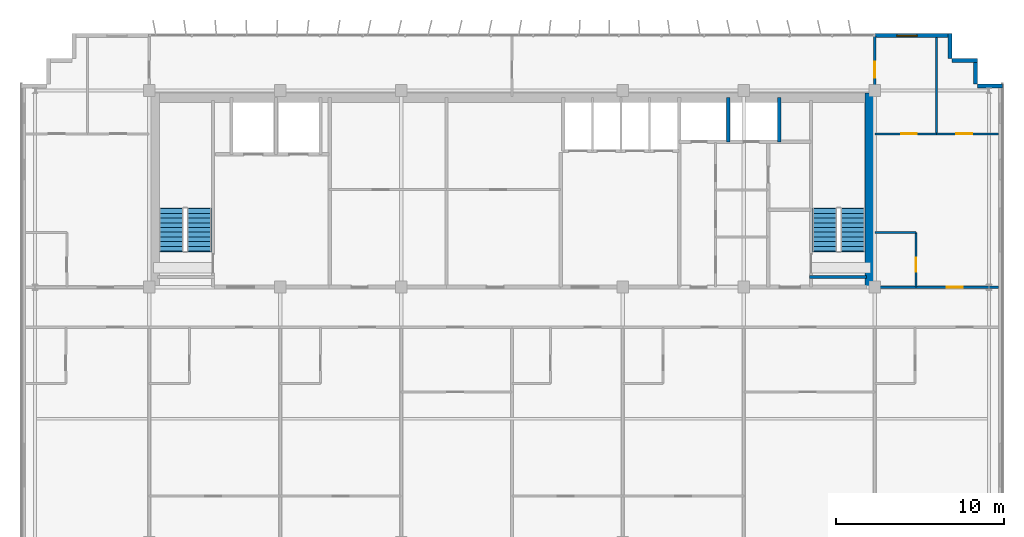
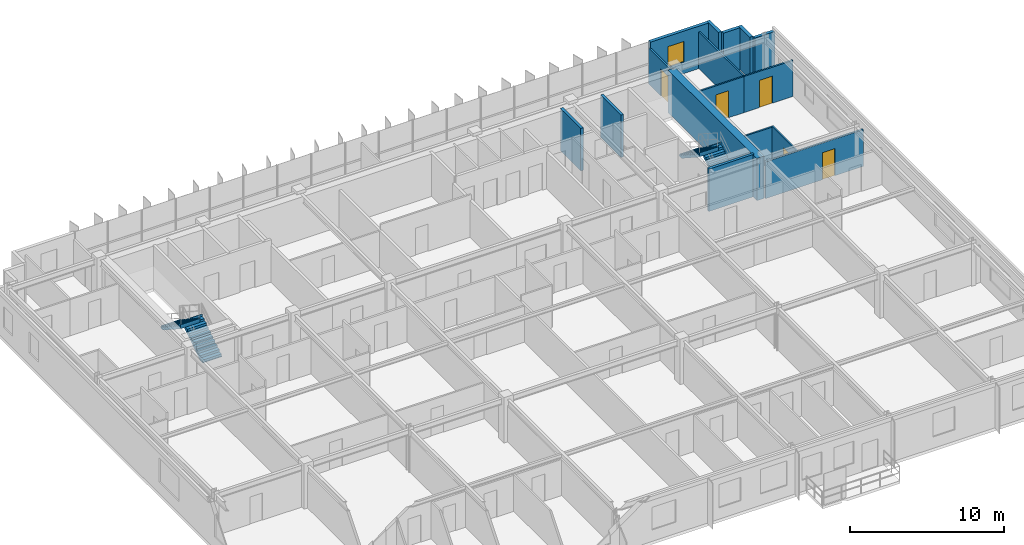
# One storey, part 21 of 23: 16 walls, 5 doors, 4 stair flights, 1 window, 6 openings, 2 elements without a shape of their own.
"""IFC4 building model written with IfcOpenShell, lengths in metres."""

import ifcopenshell
import ifcopenshell.guid

model = None  # the IFC model being written
_history = None  # IfcOwnerHistory: only IFC2X3 demands one
_inside = {}  # id of a spatial element -> (the spatial element, [elements in it])
_under = {}  # id of a project, library or spatial element -> (it, [spatial elements below it])
_declared = {}  # id of a project -> (the project, [libraries it declares])
_typed = {}  # id of a type object -> (the type object, [elements of that type])
_made_of = {}  # id of a material, layer set ... -> (it, [elements and type objects made of it])


def new_model(schema):
    """Start an empty IFC model of exactly this schema.

    Asked for "IFC4X3", IfcOpenShell would pick the latest addendum, in which some entities
    have other attributes; the version numbers below select the first issue.
    IFC2X3 requires an IfcOwnerHistory on every rooted entity: one is made here for all.
    """
    global model, _history
    if schema == "IFC4X3":
        model = ifcopenshell.file(schema_version=(4, 3, 0, 0))
    else:
        model = ifcopenshell.file(schema=schema)
    _inside.clear()
    _under.clear()
    _declared.clear()
    _typed.clear()
    _made_of.clear()
    _history = None
    if model.schema == "IFC2X3":
        org = make("IfcOrganization", Name="unknown")
        user = make(
            "IfcPersonAndOrganization",
            ThePerson=make("IfcPerson", FamilyName="unknown"),
            TheOrganization=org,
        )
        app = make(
            "IfcApplication",
            ApplicationDeveloper=org,
            Version="unknown",
            ApplicationFullName="unknown",
            ApplicationIdentifier="unknown",
        )
        _history = make(
            "IfcOwnerHistory",
            OwningUser=user,
            OwningApplication=app,
            ChangeAction="ADDED",
            CreationDate=0,
        )
    return model


def make(cls, **values):
    """One entity of the class cls with the attributes given. An attribute that is None is left unset."""
    return model.create_entity(
        cls, **{name: value for name, value in values.items() if value is not None}
    )


def rooted(cls, **values):
    """An entity with a GlobalId (a new one), such as an element, a storey or a relation."""
    return make(cls, GlobalId=ifcopenshell.guid.new(), OwnerHistory=_history, **values)


def si_unit(unit_type, name, prefix=None):
    """IfcSIUnit, for example si_unit("LENGTHUNIT", "METRE", prefix="MILLI")."""
    return make("IfcSIUnit", UnitType=unit_type, Prefix=prefix, Name=name)


def assignment(units):
    """IfcUnitAssignment: the units of a project."""
    return None if units is None else make("IfcUnitAssignment", Units=units)


def point(xyz):
    """IfcCartesianPoint."""
    return None if xyz is None else make("IfcCartesianPoint", Coordinates=xyz)


def direction(xyz):
    """IfcDirection."""
    return None if xyz is None else make("IfcDirection", DirectionRatios=xyz)


def frame(location, z_axis=None, x_axis=None):
    """IfcAxis2Placement3D, a coordinate frame: its origin and axes. An axis left out is left unset."""
    return make(
        "IfcAxis2Placement3D",
        Location=point(location),
        Axis=direction(z_axis),
        RefDirection=direction(x_axis),
    )


def frame_2d(location, x_axis=None):
    """IfcAxis2Placement2D, a coordinate frame in the plane: its origin and x axis."""
    return make(
        "IfcAxis2Placement2D", Location=point(location), RefDirection=direction(x_axis)
    )


def origin():
    """The frame at (0, 0, 0) with its axes left unset."""
    return frame((0.0, 0.0, 0.0))


def place(relative_to, where):
    """IfcLocalPlacement: puts the frame where relative to a parent placement (None: the world)."""
    return make(
        "IfcLocalPlacement", PlacementRelTo=relative_to, RelativePlacement=where
    )


def context(
    kind, dimensions, precision=None, world=None, true_north=None, identifier=None
):
    """IfcGeometricRepresentationContext, for example the 3D "Model" context."""
    return make(
        "IfcGeometricRepresentationContext",
        ContextIdentifier=identifier,
        ContextType=kind,
        CoordinateSpaceDimension=dimensions,
        Precision=precision,
        WorldCoordinateSystem=world,
        TrueNorth=true_north,
    )


def subcontext(parent, identifier, kind, view, scale=None):
    """IfcGeometricRepresentationSubContext, for example "Body" below "Model"."""
    return make(
        "IfcGeometricRepresentationSubContext",
        ContextIdentifier=identifier,
        ContextType=kind,
        ParentContext=parent,
        TargetScale=scale,
        TargetView=view,
    )


def project(units=None, contexts=None):
    """IfcProject with its units and contexts."""
    return rooted(
        "IfcProject",
        Name="project",
        RepresentationContexts=contexts,
        UnitsInContext=assignment(units),
    )


def spatial(cls, under=None, at=None, **own):
    """A site, building, storey or space (cls), placed at a placement, below another one or the project."""
    s = rooted(cls, ObjectPlacement=at, **own)
    if under is not None:
        _under.setdefault(under.id(), (under, []))[1].append(s)
    return s


def polyline(points):
    """IfcPolyline through the points."""
    return make("IfcPolyline", Points=[point(p) for p in points])


def profile(cls, at=None, kind="AREA", **sizes):
    """A parametric profile (cls). Its sizes go by their IFC names, for example OverallWidth=200.0."""
    return make(cls, ProfileType=kind, Position=at, **sizes)


def rectangle(**sizes):
    """IfcRectangleProfileDef."""
    return profile("IfcRectangleProfileDef", **sizes)


def outline(outer, holes=None, kind="AREA"):
    """IfcArbitraryClosedProfileDef: a profile drawn as a closed curve; with holes, ...WithVoids."""
    if holes is None:
        return make("IfcArbitraryClosedProfileDef", ProfileType=kind, OuterCurve=outer)
    return make(
        "IfcArbitraryProfileDefWithVoids",
        ProfileType=kind,
        OuterCurve=outer,
        InnerCurves=holes,
    )


def extrude(swept, where, along, depth):
    """IfcExtrudedAreaSolid: the profile swept, set in the frame where, extruded along a direction by depth."""
    return make(
        "IfcExtrudedAreaSolid",
        SweptArea=swept,
        Position=where,
        ExtrudedDirection=direction(along),
        Depth=depth,
    )


def shape(context_of_items, identifier, shape_type, items):
    """IfcShapeRepresentation: the items that make up one representation, for example the "Body"."""
    return make(
        "IfcShapeRepresentation",
        ContextOfItems=context_of_items,
        RepresentationIdentifier=identifier,
        RepresentationType=shape_type,
        Items=items,
    )


def source(mapping_origin, context_of_items, identifier, shape_type, items):
    """IfcRepresentationMap: a shape defined once, which mapped items show again and again."""
    return make(
        "IfcRepresentationMap",
        MappingOrigin=mapping_origin,
        MappedRepresentation=shape(context_of_items, identifier, shape_type, items),
    )


def transform(
    local_origin,
    x_axis=None,
    y_axis=None,
    z_axis=None,
    scale=None,
    scale2=None,
    scale3=None,
    uniform=True,
):
    """IfcCartesianTransformationOperator3D, or its non-uniform kind. x_axis, y_axis, z_axis: its Axis1, 2, 3."""
    if uniform:
        return make(
            "IfcCartesianTransformationOperator3D",
            Axis1=direction(x_axis),
            Axis2=direction(y_axis),
            LocalOrigin=point(local_origin),
            Scale=scale,
            Axis3=direction(z_axis),
        )
    return make(
        "IfcCartesianTransformationOperator3DnonUniform",
        Axis1=direction(x_axis),
        Axis2=direction(y_axis),
        LocalOrigin=point(local_origin),
        Scale=scale,
        Axis3=direction(z_axis),
        Scale2=scale2,
        Scale3=scale3,
    )


def mapped(mapping_source, mapping_target):
    """IfcMappedItem: shows the shape of a source again, moved by a transform."""
    return make(
        "IfcMappedItem", MappingSource=mapping_source, MappingTarget=mapping_target
    )


def material(Name=None, Category=None):
    """IfcMaterial."""
    return make("IfcMaterial", Name=Name, Category=Category)


def layer(
    of_material, thickness, ventilated=None, Name=None, Category=None, Priority=None
):
    """IfcMaterialLayer: one layer of a wall or slab, of a material (None: an air gap)."""
    return make(
        "IfcMaterialLayer",
        Material=of_material,
        LayerThickness=thickness,
        IsVentilated=ventilated,
        Name=Name,
        Category=Category,
        Priority=Priority,
    )


def layer_set(layers, Name=None):
    """IfcMaterialLayerSet."""
    return make("IfcMaterialLayerSet", MaterialLayers=layers, LayerSetName=Name)


def made_of(thing, what):
    """Note that an element or type object is made of a material, layer set ...; save() writes the relation."""
    if what is not None:
        _made_of.setdefault(what.id(), (what, []))[1].append(thing)
    return thing


def type_object(cls, material=None, **own):
    """A type object (cls), such as IfcWallType, which elements share."""
    return made_of(rooted(cls, **own), material)


def element(
    cls,
    number,
    at=None,
    inside=None,
    cuts=None,
    type_object=None,
    material=None,
    context=None,
    identifier="Body",
    shape_type=None,
    held_by="IfcProductDefinitionShape",
    body=None,
    shapes=None,
    **own,
):
    """One element of the class cls, such as IfcWall. Its Tag is "e" and its number.

    at: its placement. inside: the storey or other place that contains it. cuts: it is an
    opening in that element (IfcRelVoidsElement). A single representation is given by context,
    identifier, shape_type and body (its items); several are given by shapes. held_by: the class
    of the entity that holds the representations. save() writes the other relations.
    """
    e = rooted(cls, Tag="e%d" % number, ObjectPlacement=at, **own)
    if body is not None:
        shapes = [shape(context, identifier, shape_type, body)]
    if shapes is not None:
        e.Representation = make(held_by, Representations=shapes)
    if inside is not None:
        _inside.setdefault(inside.id(), (inside, []))[1].append(e)
    if cuts is not None:
        rooted(
            "IfcRelVoidsElement", RelatingBuildingElement=cuts, RelatedOpeningElement=e
        )
    if type_object is not None:
        _typed.setdefault(type_object.id(), (type_object, []))[1].append(e)
    return made_of(e, material)


def fill(opening, filler):
    """IfcRelFillsElement: the door or window that sits in an opening."""
    return rooted(
        "IfcRelFillsElement",
        RelatingOpeningElement=opening,
        RelatedBuildingElement=filler,
    )


def aggregate(whole, parts):
    """IfcRelAggregates: a whole, such as a stair, and the parts it consists of."""
    return rooted("IfcRelAggregates", RelatingObject=whole, RelatedObjects=parts)


def save(model, path):
    """Write the relations noted so far, then the file.

    IfcRelAggregates (storeys below a building ...), IfcRelContainedInSpatialStructure (elements
    in a storey), IfcRelDefinesByType, IfcRelAssociatesMaterial and IfcRelDeclares: one each for
    every whole, place, type object, material and project.
    """
    for whole, parts in _under.values():
        aggregate(whole, parts)
    for where, things in _inside.values():
        rooted(
            "IfcRelContainedInSpatialStructure",
            RelatedElements=things,
            RelatingStructure=where,
        )
    for kind, things in _typed.values():
        rooted("IfcRelDefinesByType", RelatedObjects=things, RelatingType=kind)
    for what, things in _made_of.values():
        rooted("IfcRelAssociatesMaterial", RelatedObjects=things, RelatingMaterial=what)
    for by, libraries in _declared.values():
        rooted("IfcRelDeclares", RelatingContext=by, RelatedDefinitions=libraries)
    model.write(path)


model = new_model("IFC4")

# Units and contexts
model_context = context("Model", 3, precision=1e-05, world=origin(), true_north=direction((0.0, 1.0)))
body_context = subcontext(model_context, "Body", "Model", "MODEL_VIEW")
ifc_project = project(units=[si_unit("LENGTHUNIT", "METRE"), si_unit("AREAUNIT", "SQUARE_METRE"), si_unit("VOLUMEUNIT", "CUBIC_METRE"), si_unit("PLANEANGLEUNIT", "RADIAN"), si_unit("MASSUNIT", "GRAM", prefix="KILO")], contexts=[model_context])

# Site, building, storey
site_placement = place(None, origin())
site = spatial("IfcSite", under=ifc_project, at=site_placement, CompositionType="ELEMENT")
building_placement = place(site_placement, origin())
building = spatial("IfcBuilding", under=site, at=building_placement, Name="Trelvane Seafront Commons", CompositionType="ELEMENT")
storey_placement = place(building_placement, frame((0.0, 0.0, 222.89990234375)))
storey = spatial("IfcBuildingStorey", under=building, at=storey_placement, Name="L58", CompositionType="ELEMENT", Elevation=222.89990234375)

# Wall, opening, window
ifc_material_1 = material(Name="Precast concrete C40/50", Category="concrete")
ifc_layer_1 = layer(ifc_material_1, 0.239990234375, Name="ARCH-WALL-EXT240")
ifc_layer_set_1 = layer_set([ifc_layer_1], Name="Precast concrete C40/50")
wall_type_1 = type_object("IfcWallType", Name="ARCH-WALL-EXT240", PredefinedType="SOLIDWALL", material=ifc_layer_set_1)
wall_1_placement = place(storey_placement, frame((58.800048828125, 48.3701171875, 0.0), z_axis=(0.0, 0.0, 1.0), x_axis=(1.0, 0.0, 0.0)))
wall_1 = element("IfcWall", 1, at=wall_1_placement, inside=storey, type_object=wall_type_1, Name="EW-L58-NE-1163", PredefinedType="SOLIDWALL", context=body_context, shape_type="SweptSolid", body=[
    extrude(rectangle(XDim=4.5, YDim=0.239990234375, at=frame_2d((2.25, 0.0))), origin(), (0.0, 0.0, 1.0), 3.360107421875),
])
opening_1_placement = place(wall_1_placement, frame((1.318115234375, 0.0, 0.89990234375)))
opening_1 = element("IfcOpeningElement", 2, at=opening_1_placement, cuts=wall_1, Name="Opening W05", PredefinedType="OPENING", context=body_context, shape_type="SweptSolid", body=[
    extrude(rectangle(XDim=1.199951171875, YDim=1.64990234375, at=frame_2d((0.60009765625, 0.824951171875))), frame((0.0, 0.1298828125, 0.0), z_axis=(0.0, -1.0, 0.0), x_axis=(1.0, 0.0, 0.0)), (0.0, 0.0, 1.0), 0.260009765625),
])
ifc_material_2 = material(Name="Low-E coastal double glazing", Category="glass")
window_type = type_object("IfcWindowType", Name="ARCH-WIN-W05", PartitioningType="SINGLE_PANEL", PredefinedType="WINDOW", material=ifc_material_2)
shared_shape_1 = source(origin(), body_context, "Body", "SweptSolid", [
    extrude(rectangle(XDim=1.199951171875, YDim=1.64990234375, at=frame_2d((0.60009765625, 0.824951171875))), frame((0.0, 0.030029296875, 0.0), z_axis=(0.0, -1.0, 0.0), x_axis=(1.0, 0.0, 0.0)), (0.0, 0.0, 1.0), 0.06005859375),
])
window_placement = place(opening_1_placement, origin())
window = element("IfcWindow", 3, at=window_placement, inside=storey, type_object=window_type, Name="WIN-L58-01410", OverallHeight=1.64990234375, OverallWidth=1.199951171875, PartitioningType="SINGLE_PANEL", PredefinedType="WINDOW", context=body_context, shape_type="MappedRepresentation", body=[
    mapped(shared_shape_1, transform((0.0, 0.0, 0.0), x_axis=(1.0, 0.0, 0.0), y_axis=(0.0, 1.0, 0.0), z_axis=(0.0, 0.0, 1.0), scale=1.0)),
])
fill(opening_1, window)

# Walls
for number, where, z_axis, x_axis, name in (
    (4, (63.280029296875, 48.5, 0.0), (0.0, 0.0, 1.0), (0.0, -1.0, 0.0), "EW-L58-01172"),
    (5, (63.39990234375, 46.8798828125, 0.0), (0.0, 0.0, 1.0), (1.0, 0.0, 0.0), "EW-L58-01173"),
    (6, (64.780029296875, 47.0, 0.0), (0.0, 0.0, 1.0), (0.0, -1.0, 0.0), "EW-L58-01174"),
    (7, (64.89990234375, 45.3798828125, 0.0), (0.0, 0.0, 1.0), (1.0, 0.0, 0.0), "EW-L58-01175"),
):
    element("IfcWall", number, at=place(storey_placement, frame(where, z_axis=z_axis, x_axis=x_axis)), inside=storey, type_object=wall_type_1, Name=name, PredefinedType="SOLIDWALL", context=body_context, shape_type="SweptSolid", body=[
        extrude(rectangle(XDim=1.5, YDim=0.239990234375, at=frame_2d((0.75, 0.0))), origin(), (0.0, 0.0, 1.0), 3.360107421875),
    ])

# Wall, opening, door
ifc_material_3 = material(Name="Gypsum Drywall Acoustic Partition")
ifc_layer_2 = layer(ifc_material_3, 0.1201171875, Name="ARCH-WALL-PART120")
ifc_layer_set_2 = layer_set([ifc_layer_2], Name="Gypsum Drywall Acoustic Partition")
wall_type_2 = type_object("IfcWallType", Name="ARCH-WALL-PART120", PredefinedType="PARTITIONING", material=ifc_layer_set_2)
wall_2_placement = place(storey_placement, frame((61.25, 33.39990234375, 0.0), z_axis=(0.0, 0.0, 1.0), x_axis=(0.0, 1.0, 0.0)))
wall_2 = element("IfcWall", 8, at=wall_2_placement, inside=storey, type_object=wall_type_2, Name="W-L58-NE-BE-042", PredefinedType="PARTITIONING", context=body_context, shape_type="SweptSolid", body=[
    extrude(rectangle(XDim=3.25, YDim=0.1201171875, at=frame_2d((1.625, 0.0))), origin(), (0.0, 0.0, 1.0), 2.91015625),
])
opening_2_placement = place(wall_2_placement, frame((0.89990234375, 0.0, 0.0)))
opening_2 = element("IfcOpeningElement", 9, at=opening_2_placement, cuts=wall_2, Name="Opening D-L58-27", PredefinedType="OPENING", context=body_context, shape_type="SweptSolid", body=[
    extrude(rectangle(XDim=0.85009765625, YDim=2.10009765625, at=frame_2d((0.425048828125, 1.050048828125))), frame((0.0, 0.070068359375, 0.0), z_axis=(0.0, -1.0, 0.0), x_axis=(1.0, 0.0, 0.0)), (0.0, 0.0, 1.0), 0.14013671875),
])
ifc_material_4 = material(Name="Acoustic timber door leaf", Category="wood")
door_type_1 = type_object("IfcDoorType", Name="ARCH-DR-INT850", OperationType="NOTDEFINED", PredefinedType="DOOR", material=ifc_material_4)
shared_shape_2 = source(origin(), body_context, "Body", "SweptSolid", [
    extrude(rectangle(XDim=0.85009765625, YDim=2.10009765625, at=frame_2d((0.425048828125, 1.050048828125))), frame((0.0, 0.02490234375, 0.0), z_axis=(0.0, -1.0, 0.0), x_axis=(1.0, 0.0, 0.0)), (0.0, 0.0, 1.0), 0.050048828125),
])
door_1_placement = place(opening_2_placement, origin())
door_1 = element("IfcDoor", 10, at=door_1_placement, inside=storey, type_object=door_type_1, Name="L58 Door 27", OperationType="SINGLE_SWING_LEFT", OverallHeight=2.10009765625, OverallWidth=0.85009765625, PredefinedType="DOOR", context=body_context, shape_type="MappedRepresentation", body=[
    mapped(shared_shape_2, transform((0.0, 0.0, 0.0), x_axis=(1.0, 0.0, 0.0), y_axis=(0.0, 1.0, 0.0), z_axis=(0.0, 0.0, 1.0), scale=1.0)),
])
fill(opening_2, door_1)

# Wall
wall_3_placement = place(storey_placement, frame((58.800048828125, 36.64990234375, 0.0), z_axis=(0.0, 0.0, 1.0), x_axis=(1.0, 0.0, 0.0)))
element("IfcWall", 11, at=wall_3_placement, inside=storey, type_object=wall_type_2, Name="W-L58-NE-BN-043", PredefinedType="PARTITIONING", context=body_context, shape_type="SweptSolid", body=[
    extrude(rectangle(XDim=2.449951171875, YDim=0.1201171875, at=frame_2d((1.22509765625, 0.0))), origin(), (0.0, 0.0, 1.0), 2.860107421875),
])

# Wall, opening, door
wall_4_placement = place(storey_placement, frame((58.800048828125, 42.52001953125, 0.0), z_axis=(0.0, 0.0, 1.0), x_axis=(1.0, 0.0, 0.0)))
wall_4 = element("IfcWall", 12, at=wall_4_placement, inside=storey, type_object=wall_type_2, Name="W-L58-NE-KB1-044", PredefinedType="PARTITIONING", context=body_context, shape_type="SweptSolid", body=[
    extrude(rectangle(XDim=3.675048828125, YDim=0.1201171875, at=frame_2d((1.83740234375, 0.0))), origin(), (0.0, 0.0, 1.0), 2.860107421875),
])
opening_3_placement = place(wall_4_placement, frame((1.55908203125, 0.0, 0.0)))
opening_3 = element("IfcOpeningElement", 13, at=opening_3_placement, cuts=wall_4, Name="Opening D-L58-28", PredefinedType="OPENING", context=body_context, shape_type="SweptSolid", body=[
    extrude(rectangle(XDim=0.949951171875, YDim=2.14990234375, at=frame_2d((0.47509765625, 1.074951171875))), frame((0.0, 0.070068359375, 0.0), z_axis=(0.0, -1.0, 0.0), x_axis=(1.0, 0.0, 0.0)), (0.0, 0.0, 1.0), 0.14013671875),
])
door_type_2 = type_object("IfcDoorType", Name="ARCH-DR-INT950", OperationType="NOTDEFINED", PredefinedType="DOOR", material=ifc_material_4)
shared_shape_3 = source(origin(), body_context, "Body", "SweptSolid", [
    extrude(rectangle(XDim=0.949951171875, YDim=2.14990234375, at=frame_2d((0.47509765625, 1.074951171875))), frame((0.0, 0.02490234375, 0.0), z_axis=(0.0, -1.0, 0.0), x_axis=(1.0, 0.0, 0.0)), (0.0, 0.0, 1.0), 0.050048828125),
])
door_2_placement = place(opening_3_placement, origin())
door_2 = element("IfcDoor", 14, at=door_2_placement, inside=storey, type_object=door_type_2, Name="L58 Door 28", OperationType="SINGLE_SWING_RIGHT", OverallHeight=2.14990234375, OverallWidth=0.949951171875, PredefinedType="DOOR", context=body_context, shape_type="MappedRepresentation", body=[
    mapped(shared_shape_3, transform((0.0, 0.0, 0.0), x_axis=(1.0, 0.0, 0.0), y_axis=(0.0, 1.0, 0.0), z_axis=(0.0, 0.0, 1.0), scale=1.0)),
])
fill(opening_3, door_2)

wall_5_placement = place(storey_placement, frame((62.47509765625, 42.52001953125, 0.0), z_axis=(0.0, 0.0, 1.0), x_axis=(1.0, 0.0, 0.0)))
wall_5 = element("IfcWall", 15, at=wall_5_placement, inside=storey, type_object=wall_type_2, Name="W-L58-NE-KB2-045", PredefinedType="PARTITIONING", context=body_context, shape_type="SweptSolid", body=[
    extrude(rectangle(XDim=3.6748046875, YDim=0.1201171875, at=frame_2d((1.83740234375, 0.0))), origin(), (0.0, 0.0, 1.0), 2.860107421875),
])
opening_4_placement = place(wall_5_placement, frame((1.166015625, 0.0, 0.0)))
opening_4 = element("IfcOpeningElement", 16, at=opening_4_placement, cuts=wall_5, Name="Opening D-L58-29", PredefinedType="OPENING", context=body_context, shape_type="SweptSolid", body=[
    extrude(rectangle(XDim=0.949951171875, YDim=2.14990234375, at=frame_2d((0.47509765625, 1.074951171875))), frame((0.0, 0.070068359375, 0.0), z_axis=(0.0, -1.0, 0.0), x_axis=(1.0, 0.0, 0.0)), (0.0, 0.0, 1.0), 0.14013671875),
])
door_3_placement = place(opening_4_placement, origin())
door_3 = element("IfcDoor", 17, at=door_3_placement, inside=storey, type_object=door_type_2, Name="L58 Door 29", OperationType="SINGLE_SWING_LEFT", OverallHeight=2.14990234375, OverallWidth=0.949951171875, PredefinedType="DOOR", context=body_context, shape_type="MappedRepresentation", body=[
    mapped(shared_shape_3, transform((0.0, 0.0, 0.0), x_axis=(1.0, 0.0, 0.0), y_axis=(0.0, 1.0, 0.0), z_axis=(0.0, 0.0, 1.0), scale=1.0)),
])
fill(opening_4, door_3)

# Wall
wall_6_placement = place(storey_placement, frame((62.47509765625, 42.52001953125, 0.0), z_axis=(0.0, 0.0, 1.0), x_axis=(0.0, 1.0, 0.0)))
element("IfcWall", 18, at=wall_6_placement, inside=storey, type_object=wall_type_2, Name="W-L58-NE-KBDV-046", PredefinedType="PARTITIONING", context=body_context, shape_type="SweptSolid", body=[
    extrude(rectangle(XDim=5.739990234375, YDim=0.1201171875, at=frame_2d((2.8701171875, 0.0))), origin(), (0.0, 0.0, 1.0), 2.91015625),
])

# Wall, opening, door
ifc_layer_3 = layer(ifc_material_3, 0.14990234375, Name="ARCH-WALL-PART150")
ifc_layer_set_3 = layer_set([ifc_layer_3], Name="Gypsum Drywall Acoustic Partition")
wall_type_3 = type_object("IfcWallType", Name="ARCH-WALL-PART150", PredefinedType="PARTITIONING", material=ifc_layer_set_3)
wall_7_placement = place(storey_placement, frame((58.800048828125, 33.39990234375, 0.0), z_axis=(0.0, 0.0, 1.0), x_axis=(1.0, 0.0, 0.0)))
wall_7 = element("IfcWall", 19, at=wall_7_placement, inside=storey, type_object=wall_type_3, Name="W-L58-NE-ENT-047", PredefinedType="PARTITIONING", context=body_context, shape_type="SweptSolid", body=[
    extrude(rectangle(XDim=7.349853515625, YDim=0.14990234375, at=frame_2d((3.6748046875, 0.0))), origin(), (0.0, 0.0, 1.0), 2.91015625),
])
opening_5_placement = place(wall_7_placement, frame((4.27490234375, 0.0, 0.0)))
opening_5 = element("IfcOpeningElement", 20, at=opening_5_placement, cuts=wall_7, Name="Opening FD-L58-30", PredefinedType="OPENING", context=body_context, shape_type="SweptSolid", body=[
    extrude(rectangle(XDim=0.949951171875, YDim=2.14990234375, at=frame_2d((0.47509765625, 1.074951171875))), frame((0.0, 0.0849609375, 0.0), z_axis=(0.0, -1.0, 0.0), x_axis=(1.0, 0.0, 0.0)), (0.0, 0.0, 1.0), 0.169921875),
])
ifc_material_5 = material(Name="Powder-coated aluminium frame", Category="aluminium")
door_type_3 = type_object("IfcDoorType", Name="ARCH-DR-FD60-950", OperationType="NOTDEFINED", PredefinedType="DOOR", material=ifc_material_5)
door_4_placement = place(opening_5_placement, origin())
door_4 = element("IfcDoor", 21, at=door_4_placement, inside=storey, type_object=door_type_3, Name="L58 NE Flat Entrance Door", OperationType="SINGLE_SWING_RIGHT", OverallHeight=2.14990234375, OverallWidth=0.949951171875, PredefinedType="DOOR", context=body_context, shape_type="MappedRepresentation", body=[
    mapped(shared_shape_3, transform((0.0, 0.0, 0.0), x_axis=(1.0, 0.0, 0.0), y_axis=(0.0, 1.0, 0.0), z_axis=(0.0, 0.0, 1.0), scale=1.0)),
])
fill(opening_5, door_4)

wall_8_placement = place(storey_placement, frame((58.800048828125, 44.75, 0.0), z_axis=(0.0, 0.0, 1.0), x_axis=(0.0, 1.0, 0.0)))
wall_8 = element("IfcWall", 22, at=wall_8_placement, inside=storey, type_object=wall_type_3, Name="W-L58-N-LINK-E-050", PredefinedType="PARTITIONING", context=body_context, shape_type="SweptSolid", body=[
    extrude(rectangle(XDim=3.610107421875, YDim=0.14990234375, at=frame_2d((1.80517578125, 0.0))), origin(), (0.0, 0.0, 1.0), 2.860107421875),
])
opening_6_placement = place(wall_8_placement, frame((1.10009765625, 0.0, 0.0)))
opening_6 = element("IfcOpeningElement", 23, at=opening_6_placement, cuts=wall_8, Name="Opening FD-L58-33", PredefinedType="OPENING", context=body_context, shape_type="SweptSolid", body=[
    extrude(rectangle(XDim=0.949951171875, YDim=2.14990234375, at=frame_2d((0.47509765625, 1.074951171875))), frame((0.0, 0.0849609375, 0.0), z_axis=(0.0, -1.0, 0.0), x_axis=(1.0, 0.0, 0.0)), (0.0, 0.0, 1.0), 0.169921875),
])
door_5_placement = place(opening_6_placement, origin())
door_5 = element("IfcDoor", 24, at=door_5_placement, inside=storey, type_object=door_type_3, Name="L58 Door 33", OperationType="SINGLE_SWING_LEFT", OverallHeight=2.14990234375, OverallWidth=0.949951171875, PredefinedType="DOOR", context=body_context, shape_type="MappedRepresentation", body=[
    mapped(shared_shape_3, transform((0.0, 0.0, 0.0), x_axis=(1.0, 0.0, 0.0), y_axis=(0.0, 1.0, 0.0), z_axis=(0.0, 0.0, 1.0), scale=1.0)),
])
fill(opening_6, door_5)

# Walls
ifc_material_6 = material(Name="Concrete C40/50", Category="concrete")
ifc_layer_4 = layer(ifc_material_6, 0.199951171875, Name="ARCH-WALL-SHAFT200")
ifc_layer_set_4 = layer_set([ifc_layer_4], Name="Concrete C40/50")
wall_type_4 = type_object("IfcWallType", Name="ARCH-WALL-SHAFT200", PredefinedType="SOLIDWALL", material=ifc_layer_set_4)
for number, where, z_axis, x_axis, name in (
    (25, (50.080078125, 42.050048828125, 0.0), (0.0, 0.0, 1.0), (0.0, 1.0, 0.0), "W-L58-RSR-DIV-028"),
    (26, (53.10009765625, 42.050048828125, 0.0), (0.0, 0.0, 1.0), (0.0, 1.0, 0.0), "W-L58-RSR-E-029"),
):
    element("IfcWall", number, at=place(storey_placement, frame(where, z_axis=z_axis, x_axis=x_axis)), inside=storey, type_object=wall_type_4, Name=name, PredefinedType="SOLIDWALL", context=body_context, shape_type="SweptSolid", body=[
        extrude(rectangle(XDim=2.64990234375, YDim=0.199951171875, at=frame_2d((1.324951171875, 0.0))), origin(), (0.0, 0.0, 1.0), 3.360107421875),
    ])
ifc_material_7 = material(Name="Concrete C50/60", Category="concrete")
ifc_layer_5 = layer(ifc_material_7, 0.550048828125, Name="STR-WALL-CORE550")
ifc_layer_set_5 = layer_set([ifc_layer_5], Name="Concrete C50/60")
wall_type_5 = type_object("IfcWallType", Name="STR-WALL-CORE550", PredefinedType="SHEAR", material=ifc_layer_set_5)
wall_9_placement = place(storey_placement, frame((58.47509765625, 33.39990234375, 0.0), z_axis=(0.0, 0.0, 1.0), x_axis=(0.0, 1.0, 0.0)))
element("IfcWall", 27, at=wall_9_placement, inside=storey, type_object=wall_type_5, Name="W-L58-CE-END-003", PredefinedType="SHEAR", context=body_context, shape_type="SweptSolid", body=[
    extrude(rectangle(XDim=11.550048828125, YDim=0.550048828125, at=frame_2d((5.77490234375, 0.0))), origin(), (0.0, 0.0, 1.0), 3.360107421875),
])
ifc_layer_6 = layer(ifc_material_7, 0.199951171875, Name="STR-WALL-STAIR200")
ifc_layer_set_6 = layer_set([ifc_layer_6], Name="Concrete C50/60")
wall_type_6 = type_object("IfcWallType", Name="STR-WALL-STAIR200", PredefinedType="SHEAR", material=ifc_layer_set_6)
wall_10_placement = place(storey_placement, frame((54.89990234375, 34.0, 0.0), z_axis=(0.0, 0.0, 1.0), x_axis=(1.0, 0.0, 0.0)))
element("IfcWall", 28, at=wall_10_placement, inside=storey, type_object=wall_type_6, Name="W-L58-ST2-S-006", PredefinedType="SHEAR", context=body_context, shape_type="SweptSolid", body=[
    extrude(rectangle(XDim=3.400146484375, YDim=0.199951171875, at=frame_2d((1.7001953125, 0.0))), origin(), (0.0, 0.0, 1.0), 3.360107421875),
])

# Stair, stair flights
stair_type_1 = type_object("IfcStairType", Name="ARCH-STR-ST-1-R20-180", PredefinedType="HALF_TURN_STAIR", material=ifc_material_6)
stair_1_placement = place(storey_placement, origin())
stair_1 = element("IfcStair", 29, at=stair_1_placement, inside=storey, type_object=stair_type_1, Name="L58 West Protected Firefighting Exit Stair ST-1", PredefinedType="HALF_TURN_STAIR")
stair_flight_type_1 = type_object("IfcStairFlightType", Name="ARCH-FLG-ST-1-R20-180", PredefinedType="STRAIGHT", material=ifc_material_6)
shared_shape_4 = source(origin(), body_context, "Body", "SweptSolid", [
    extrude(outline(polyline([(-0.050048828125, -0.02001953125), (-0.050048828125, 0.0), (0.0, 0.0), (0.0, 0.179931640625), (0.280029296875, 0.179931640625), (0.280029296875, 0.360107421875), (0.56005859375, 0.360107421875), (0.56005859375, 0.5400390625), (0.840087890625, 0.5400390625), (0.840087890625, 0.719970703125), (1.1201171875, 0.719970703125), (1.1201171875, 0.89990234375), (1.39990234375, 0.89990234375), (1.39990234375, 1.080078125), (1.679931640625, 1.080078125), (1.679931640625, 1.260009765625), (1.9599609375, 1.260009765625), (1.9599609375, 1.43994140625), (2.239990234375, 1.43994140625), (2.239990234375, 1.6201171875), (2.52001953125, 1.6201171875), (2.52001953125, 1.800048828125), (2.570068359375, 1.800048828125), (2.570068359375, 1.650146484375), (2.52001953125, 1.44189453125), (0.277099609375, -0.02001953125), (-0.050048828125, -0.02001953125)])), frame((0.0, 0.72509765625, 0.0), z_axis=(0.0, -1.0, 0.0), x_axis=(1.0, 0.0, 0.0)), (0.0, 0.0, 1.0), 1.449951171875),
])
stair_flight_1_placement = place(storey_placement, frame((18.574951171875, 35.550048828125, 0.0), z_axis=(0.0, 0.0, 1.0), x_axis=(0.0, 1.0, 0.0)))
stair_flight_1 = element("IfcStairFlight", 30, at=stair_flight_1_placement, type_object=stair_flight_type_1, Name="ST-1 flight 1", NumberOfRisers=10, NumberOfTreads=9, PredefinedType="STRAIGHT", RiserHeight=0.18, TreadLength=0.28, context=body_context, shape_type="MappedRepresentation", body=[
    mapped(shared_shape_4, transform((0.0, 0.0, 0.0), x_axis=(1.0, 0.0, 0.0), y_axis=(0.0, 1.0, 0.0), z_axis=(0.0, 0.0, 1.0), scale=1.0)),
])
stair_flight_2_placement = place(storey_placement, frame((16.925048828125, 38.070068359375, 1.800048828125), z_axis=(0.0, 0.0, 1.0), x_axis=(0.0, -1.0, 0.0)))
stair_flight_2 = element("IfcStairFlight", 31, at=stair_flight_2_placement, type_object=stair_flight_type_1, Name="ST-1 flight 2", NumberOfRisers=10, NumberOfTreads=9, PredefinedType="STRAIGHT", RiserHeight=0.18, TreadLength=0.28, context=body_context, shape_type="MappedRepresentation", body=[
    mapped(shared_shape_4, transform((0.0, 0.0, 0.0), x_axis=(1.0, 0.0, 0.0), y_axis=(0.0, 1.0, 0.0), z_axis=(0.0, 0.0, 1.0), scale=1.0)),
])
aggregate(stair_1, [stair_flight_1, stair_flight_2])

stair_type_2 = type_object("IfcStairType", Name="ARCH-STR-ST-2-R20-180", PredefinedType="HALF_TURN_STAIR", material=ifc_material_6)
stair_2_placement = place(storey_placement, origin())
stair_2 = element("IfcStair", 32, at=stair_2_placement, inside=storey, type_object=stair_type_2, Name="L58 East Protected Firefighting Exit Stair ST-2", PredefinedType="HALF_TURN_STAIR")
stair_flight_type_2 = type_object("IfcStairFlightType", Name="ARCH-FLG-ST-2-R20-180", PredefinedType="STRAIGHT", material=ifc_material_6)
stair_flight_3_placement = place(storey_placement, frame((57.47509765625, 35.550048828125, 0.0), z_axis=(0.0, 0.0, 1.0), x_axis=(0.0, 1.0, 0.0)))
stair_flight_3 = element("IfcStairFlight", 33, at=stair_flight_3_placement, type_object=stair_flight_type_2, Name="ST-2 flight 1", NumberOfRisers=10, NumberOfTreads=9, PredefinedType="STRAIGHT", RiserHeight=0.18, TreadLength=0.28, context=body_context, shape_type="MappedRepresentation", body=[
    mapped(shared_shape_4, transform((0.0, 0.0, 0.0), x_axis=(1.0, 0.0, 0.0), y_axis=(0.0, 1.0, 0.0), z_axis=(0.0, 0.0, 1.0), scale=1.0)),
])
stair_flight_4_placement = place(storey_placement, frame((55.824951171875, 38.070068359375, 1.800048828125), z_axis=(0.0, 0.0, 1.0), x_axis=(0.0, -1.0, 0.0)))
stair_flight_4 = element("IfcStairFlight", 34, at=stair_flight_4_placement, type_object=stair_flight_type_2, Name="ST-2 flight 2", NumberOfRisers=10, NumberOfTreads=9, PredefinedType="STRAIGHT", RiserHeight=0.18, TreadLength=0.28, context=body_context, shape_type="MappedRepresentation", body=[
    mapped(shared_shape_4, transform((0.0, 0.0, 0.0), x_axis=(1.0, 0.0, 0.0), y_axis=(0.0, 1.0, 0.0), z_axis=(0.0, 0.0, 1.0), scale=1.0)),
])
aggregate(stair_2, [stair_flight_3, stair_flight_4])

save(model, "model.ifc")
